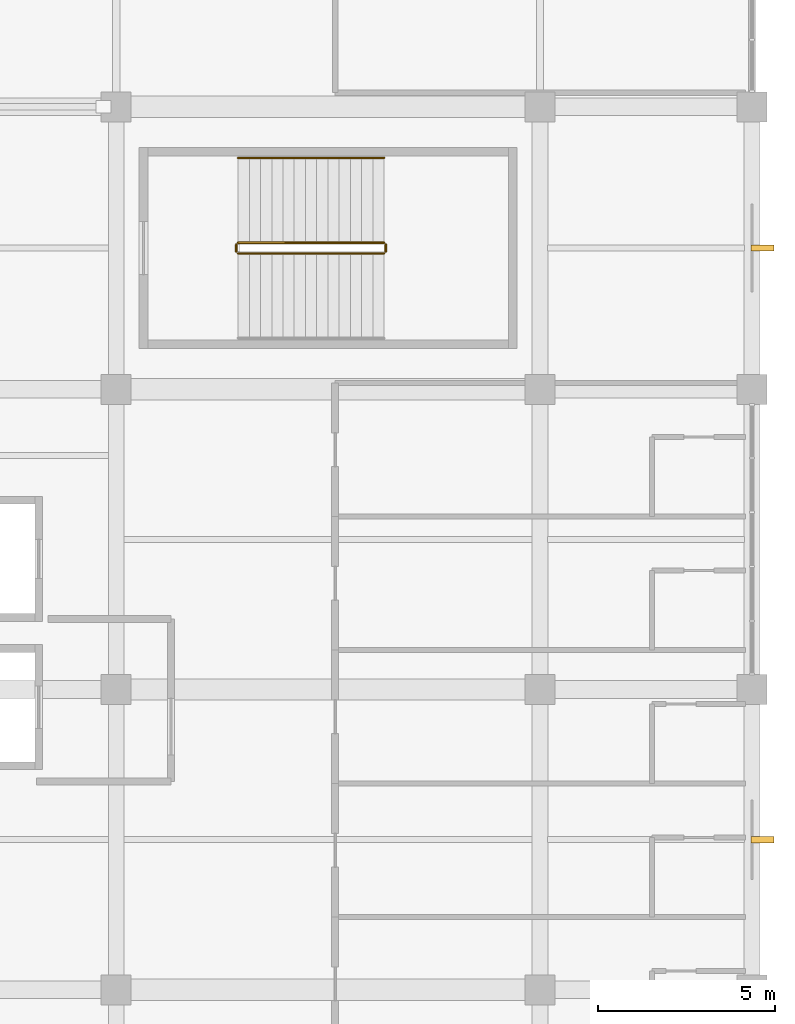
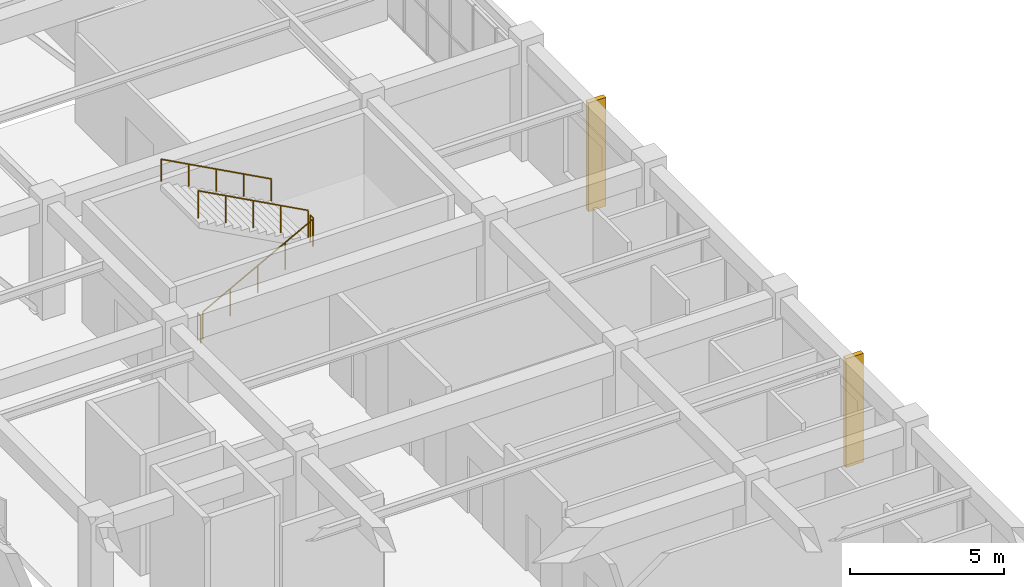
# One storey, part 108 of 112: 5 railings, 2 shading devices.
"""IFC4 building model written with IfcOpenShell, lengths in metres."""

import ifcopenshell
import ifcopenshell.guid

model = None  # the IFC model being written
_history = None  # IfcOwnerHistory: only IFC2X3 demands one
_inside = {}  # id of a spatial element -> (the spatial element, [elements in it])
_under = {}  # id of a project, library or spatial element -> (it, [spatial elements below it])
_declared = {}  # id of a project -> (the project, [libraries it declares])
_typed = {}  # id of a type object -> (the type object, [elements of that type])
_made_of = {}  # id of a material, layer set ... -> (it, [elements and type objects made of it])


def new_model(schema):
    """Start an empty IFC model of exactly this schema.

    Asked for "IFC4X3", IfcOpenShell would pick the latest addendum, in which some entities
    have other attributes; the version numbers below select the first issue.
    IFC2X3 requires an IfcOwnerHistory on every rooted entity: one is made here for all.
    """
    global model, _history
    if schema == "IFC4X3":
        model = ifcopenshell.file(schema_version=(4, 3, 0, 0))
    else:
        model = ifcopenshell.file(schema=schema)
    _inside.clear()
    _under.clear()
    _declared.clear()
    _typed.clear()
    _made_of.clear()
    _history = None
    if model.schema == "IFC2X3":
        org = make("IfcOrganization", Name="unknown")
        user = make(
            "IfcPersonAndOrganization",
            ThePerson=make("IfcPerson", FamilyName="unknown"),
            TheOrganization=org,
        )
        app = make(
            "IfcApplication",
            ApplicationDeveloper=org,
            Version="unknown",
            ApplicationFullName="unknown",
            ApplicationIdentifier="unknown",
        )
        _history = make(
            "IfcOwnerHistory",
            OwningUser=user,
            OwningApplication=app,
            ChangeAction="ADDED",
            CreationDate=0,
        )
    return model


def make(cls, **values):
    """One entity of the class cls with the attributes given. An attribute that is None is left unset."""
    return model.create_entity(
        cls, **{name: value for name, value in values.items() if value is not None}
    )


def rooted(cls, **values):
    """An entity with a GlobalId (a new one), such as an element, a storey or a relation."""
    return make(cls, GlobalId=ifcopenshell.guid.new(), OwnerHistory=_history, **values)


def si_unit(unit_type, name, prefix=None):
    """IfcSIUnit, for example si_unit("LENGTHUNIT", "METRE", prefix="MILLI")."""
    return make("IfcSIUnit", UnitType=unit_type, Prefix=prefix, Name=name)


def assignment(units):
    """IfcUnitAssignment: the units of a project."""
    return None if units is None else make("IfcUnitAssignment", Units=units)


def point(xyz):
    """IfcCartesianPoint."""
    return None if xyz is None else make("IfcCartesianPoint", Coordinates=xyz)


def direction(xyz):
    """IfcDirection."""
    return None if xyz is None else make("IfcDirection", DirectionRatios=xyz)


def frame(location, z_axis=None, x_axis=None):
    """IfcAxis2Placement3D, a coordinate frame: its origin and axes. An axis left out is left unset."""
    return make(
        "IfcAxis2Placement3D",
        Location=point(location),
        Axis=direction(z_axis),
        RefDirection=direction(x_axis),
    )


def frame_2d(location, x_axis=None):
    """IfcAxis2Placement2D, a coordinate frame in the plane: its origin and x axis."""
    return make(
        "IfcAxis2Placement2D", Location=point(location), RefDirection=direction(x_axis)
    )


def origin():
    """The frame at (0, 0, 0) with its axes left unset."""
    return frame((0.0, 0.0, 0.0))


def origin_2d():
    """The frame at (0, 0) in the plane with its x axis left unset."""
    return frame_2d((0.0, 0.0))


def place(relative_to, where):
    """IfcLocalPlacement: puts the frame where relative to a parent placement (None: the world)."""
    return make(
        "IfcLocalPlacement", PlacementRelTo=relative_to, RelativePlacement=where
    )


def context(
    kind, dimensions, precision=None, world=None, true_north=None, identifier=None
):
    """IfcGeometricRepresentationContext, for example the 3D "Model" context."""
    return make(
        "IfcGeometricRepresentationContext",
        ContextIdentifier=identifier,
        ContextType=kind,
        CoordinateSpaceDimension=dimensions,
        Precision=precision,
        WorldCoordinateSystem=world,
        TrueNorth=true_north,
    )


def subcontext(parent, identifier, kind, view, scale=None):
    """IfcGeometricRepresentationSubContext, for example "Body" below "Model"."""
    return make(
        "IfcGeometricRepresentationSubContext",
        ContextIdentifier=identifier,
        ContextType=kind,
        ParentContext=parent,
        TargetScale=scale,
        TargetView=view,
    )


def project(units=None, contexts=None):
    """IfcProject with its units and contexts."""
    return rooted(
        "IfcProject",
        Name="project",
        RepresentationContexts=contexts,
        UnitsInContext=assignment(units),
    )


def spatial(cls, under=None, at=None, **own):
    """A site, building, storey or space (cls), placed at a placement, below another one or the project."""
    s = rooted(cls, ObjectPlacement=at, **own)
    if under is not None:
        _under.setdefault(under.id(), (under, []))[1].append(s)
    return s


def profile(cls, at=None, kind="AREA", **sizes):
    """A parametric profile (cls). Its sizes go by their IFC names, for example OverallWidth=200.0."""
    return make(cls, ProfileType=kind, Position=at, **sizes)


def rectangle(**sizes):
    """IfcRectangleProfileDef."""
    return profile("IfcRectangleProfileDef", **sizes)


def circle(**sizes):
    """IfcCircleProfileDef."""
    return profile("IfcCircleProfileDef", **sizes)


def extrude(swept, where, along, depth):
    """IfcExtrudedAreaSolid: the profile swept, set in the frame where, extruded along a direction by depth."""
    return make(
        "IfcExtrudedAreaSolid",
        SweptArea=swept,
        Position=where,
        ExtrudedDirection=direction(along),
        Depth=depth,
    )


def shape(context_of_items, identifier, shape_type, items):
    """IfcShapeRepresentation: the items that make up one representation, for example the "Body"."""
    return make(
        "IfcShapeRepresentation",
        ContextOfItems=context_of_items,
        RepresentationIdentifier=identifier,
        RepresentationType=shape_type,
        Items=items,
    )


def material(Name=None, Category=None):
    """IfcMaterial."""
    return make("IfcMaterial", Name=Name, Category=Category)


def made_of(thing, what):
    """Note that an element or type object is made of a material, layer set ...; save() writes the relation."""
    if what is not None:
        _made_of.setdefault(what.id(), (what, []))[1].append(thing)
    return thing


def type_object(cls, material=None, **own):
    """A type object (cls), such as IfcWallType, which elements share."""
    return made_of(rooted(cls, **own), material)


def element(
    cls,
    number,
    at=None,
    inside=None,
    cuts=None,
    type_object=None,
    material=None,
    context=None,
    identifier="Body",
    shape_type=None,
    held_by="IfcProductDefinitionShape",
    body=None,
    shapes=None,
    **own,
):
    """One element of the class cls, such as IfcWall. Its Tag is "e" and its number.

    at: its placement. inside: the storey or other place that contains it. cuts: it is an
    opening in that element (IfcRelVoidsElement). A single representation is given by context,
    identifier, shape_type and body (its items); several are given by shapes. held_by: the class
    of the entity that holds the representations. save() writes the other relations.
    """
    e = rooted(cls, Tag="e%d" % number, ObjectPlacement=at, **own)
    if body is not None:
        shapes = [shape(context, identifier, shape_type, body)]
    if shapes is not None:
        e.Representation = make(held_by, Representations=shapes)
    if inside is not None:
        _inside.setdefault(inside.id(), (inside, []))[1].append(e)
    if cuts is not None:
        rooted(
            "IfcRelVoidsElement", RelatingBuildingElement=cuts, RelatedOpeningElement=e
        )
    if type_object is not None:
        _typed.setdefault(type_object.id(), (type_object, []))[1].append(e)
    return made_of(e, material)


def aggregate(whole, parts):
    """IfcRelAggregates: a whole, such as a stair, and the parts it consists of."""
    return rooted("IfcRelAggregates", RelatingObject=whole, RelatedObjects=parts)


def save(model, path):
    """Write the relations noted so far, then the file.

    IfcRelAggregates (storeys below a building ...), IfcRelContainedInSpatialStructure (elements
    in a storey), IfcRelDefinesByType, IfcRelAssociatesMaterial and IfcRelDeclares: one each for
    every whole, place, type object, material and project.
    """
    for whole, parts in _under.values():
        aggregate(whole, parts)
    for where, things in _inside.values():
        rooted(
            "IfcRelContainedInSpatialStructure",
            RelatedElements=things,
            RelatingStructure=where,
        )
    for kind, things in _typed.values():
        rooted("IfcRelDefinesByType", RelatedObjects=things, RelatingType=kind)
    for what, things in _made_of.values():
        rooted("IfcRelAssociatesMaterial", RelatedObjects=things, RelatingMaterial=what)
    for by, libraries in _declared.values():
        rooted("IfcRelDeclares", RelatingContext=by, RelatedDefinitions=libraries)
    model.write(path)


model = new_model("IFC4")

# Units and contexts
model_context = context("Model", 3, precision=1e-05, world=origin(), true_north=direction((0.0, 1.0)))
body_context = subcontext(model_context, "Body", "Model", "MODEL_VIEW")
ifc_project = project(units=[si_unit("LENGTHUNIT", "METRE"), si_unit("AREAUNIT", "SQUARE_METRE"), si_unit("VOLUMEUNIT", "CUBIC_METRE"), si_unit("PLANEANGLEUNIT", "RADIAN"), si_unit("MASSUNIT", "GRAM", prefix="KILO")], contexts=[model_context])

# Site, building, storey
site_placement = place(None, origin())
site = spatial("IfcSite", under=ifc_project, at=site_placement, CompositionType="ELEMENT")
building_placement = place(site_placement, origin())
building = spatial("IfcBuilding", under=site, at=building_placement, Name="Cuetzalor Civic Arena", CompositionType="ELEMENT")
storey_placement = place(building_placement, frame((0.0, 0.0, 11.39990234375)))
storey = spatial("IfcBuildingStorey", under=building, at=storey_placement, Name="L02", CompositionType="ELEMENT", Elevation=11.39990234375)

# Railings
ifc_material_1 = material(Name="Reseda-green architectural Steel S355 balustrade", Category="steel")
railing_type_1 = type_object("IfcRailingType", Name="InteriorVoidBalustrade_1100", PredefinedType="BALUSTRADE", material=ifc_material_1)
railing_1_placement = place(storey_placement, frame((67.449951171875, 20.85009765625, 0.171630859375)))
element("IfcRailing", 1, at=railing_1_placement, inside=storey, type_object=railing_type_1, Name="L02 ST-22 stair guard 1", PredefinedType="BALUSTRADE", context=body_context, shape_type="SweptSolid", body=[
    extrude(circle(Radius=0.02392578125, at=origin_2d()), frame((0.0, 0.0, 1.0810546875), z_axis=(0.880248997335, 0.0, 0.474512068014), x_axis=(0.0, 1.0, 0.0)), (0.0, 0.0, 1.0), 4.696533203125),
    extrude(circle(Radius=0.02099609375, at=origin_2d()), origin(), (0.0, 0.0, 1.0), 1.056884765625),
    extrude(circle(Radius=0.02099609375, at=origin_2d()), frame((1.033447265625, 0.0, 0.55712890625)), (0.0, 0.0, 1.0), 1.056884765625),
    extrude(circle(Radius=0.02099609375, at=origin_2d()), frame((2.06689453125, 0.0, 1.1142578125)), (0.0, 0.0, 1.0), 1.056884765625),
    extrude(circle(Radius=0.02099609375, at=origin_2d()), frame((3.1005859375, 0.0, 1.67138671875)), (0.0, 0.0, 1.0), 1.056884765625),
    extrude(circle(Radius=0.02099609375, at=origin_2d()), frame((4.134033203125, 0.0, 2.228515625)), (0.0, 0.0, 1.0), 1.056884765625),
])
railing_2_placement = place(storey_placement, frame((71.634033203125, 20.89990234375, 2.400146484375)))
element("IfcRailing", 2, at=railing_2_placement, inside=storey, type_object=railing_type_1, Name="L02 ST-22 stair guard 2", PredefinedType="BALUSTRADE", context=body_context, shape_type="SweptSolid", body=[
    extrude(circle(Radius=0.02392578125, at=origin_2d()), frame((0.0, 0.0, 1.0810546875), z_axis=(0.0, 1.0, 0.0), x_axis=(-1.0, 0.0, 0.0)), (0.0, 0.0, 1.0), 0.2001953125),
    extrude(circle(Radius=0.02099609375, at=origin_2d()), origin(), (0.0, 0.0, 1.0), 1.056884765625),
    extrude(circle(Radius=0.02099609375, at=origin_2d()), frame((0.0, 0.2001953125, 0.0)), (0.0, 0.0, 1.0), 1.056884765625),
])
railing_3_placement = place(storey_placement, frame((71.583984375, 21.14990234375, 2.571533203125)))
element("IfcRailing", 3, at=railing_3_placement, inside=storey, type_object=railing_type_1, Name="L02 ST-22 stair guard 3", PredefinedType="BALUSTRADE", context=body_context, shape_type="SweptSolid", body=[
    extrude(circle(Radius=0.02392578125, at=origin_2d()), frame((0.0, 0.0, 1.0810546875), z_axis=(-0.880248997335, 0.0, 0.474512068014), x_axis=(0.0, -1.0, 0.0)), (0.0, 0.0, 1.0), 4.696533203125),
    extrude(circle(Radius=0.02099609375, at=origin_2d()), origin(), (0.0, 0.0, 1.0), 1.056884765625),
    extrude(circle(Radius=0.02099609375, at=origin_2d()), frame((-1.033447265625, 0.0, 0.55712890625)), (0.0, 0.0, 1.0), 1.056884765625),
    extrude(circle(Radius=0.02099609375, at=origin_2d()), frame((-2.06689453125, 0.0, 1.1142578125)), (0.0, 0.0, 1.0), 1.056884765625),
    extrude(circle(Radius=0.02099609375, at=origin_2d()), frame((-3.1005859375, 0.0, 1.67138671875)), (0.0, 0.0, 1.0), 1.056884765625),
    extrude(circle(Radius=0.02099609375, at=origin_2d()), frame((-4.134033203125, 0.0, 2.228515625)), (0.0, 0.0, 1.0), 1.056884765625),
])
railing_4_placement = place(storey_placement, frame((67.39990234375, 20.89990234375, 0.0)))
element("IfcRailing", 4, at=railing_4_placement, inside=storey, type_object=railing_type_1, Name="L02 ST-22 stair guard 4", PredefinedType="BALUSTRADE", context=body_context, shape_type="SweptSolid", body=[
    extrude(circle(Radius=0.02392578125, at=origin_2d()), frame((0.0, 0.0, 1.0810546875), z_axis=(0.0, 1.0, 0.0), x_axis=(-1.0, 0.0, 0.0)), (0.0, 0.0, 1.0), 0.2001953125),
    extrude(circle(Radius=0.02099609375, at=origin_2d()), origin(), (0.0, 0.0, 1.0), 1.056884765625),
    extrude(circle(Radius=0.02099609375, at=origin_2d()), frame((0.0, 0.2001953125, 0.0)), (0.0, 0.0, 1.0), 1.056884765625),
])
ifc_material_2 = material(Name="Galvanised steel S355", Category="steel")
railing_type_2 = type_object("IfcRailingType", Name="StairPitchHandrail_900", PredefinedType="HANDRAIL", material=ifc_material_2)
railing_5_placement = place(storey_placement, frame((71.583984375, 23.550048828125, 2.571533203125)))
element("IfcRailing", 5, at=railing_5_placement, inside=storey, type_object=railing_type_2, Name="L02 ST-22 stair handrail 2", PredefinedType="HANDRAIL", context=body_context, shape_type="SweptSolid", body=[
    extrude(circle(Radius=0.02392578125, at=origin_2d()), frame((0.0, 0.0, 0.8759765625), z_axis=(-0.880248997335, 0.0, 0.474512068014), x_axis=(0.0, -1.0, 0.0)), (0.0, 0.0, 1.0), 4.696533203125),
    extrude(circle(Radius=0.02099609375, at=origin_2d()), origin(), (0.0, 0.0, 1.0), 0.851806640625),
    extrude(circle(Radius=0.02099609375, at=origin_2d()), frame((-1.033447265625, 0.0, 0.55712890625)), (0.0, 0.0, 1.0), 0.851806640625),
    extrude(circle(Radius=0.02099609375, at=origin_2d()), frame((-2.06689453125, 0.0, 1.1142578125)), (0.0, 0.0, 1.0), 0.851806640625),
    extrude(circle(Radius=0.02099609375, at=origin_2d()), frame((-3.1005859375, 0.0, 1.67138671875)), (0.0, 0.0, 1.0), 0.851806640625),
    extrude(circle(Radius=0.02099609375, at=origin_2d()), frame((-4.134033203125, 0.0, 2.228515625)), (0.0, 0.0, 1.0), 0.851806640625),
])

# Shading devices
ifc_material_3 = material(Name="Puebla cantera gris stone and bronze fin", Category="masonry")
shading_device_type = type_object("IfcShadingDeviceType", Name="VerticalCanteraSolarFin", PredefinedType="USERDEFINED", material=ifc_material_3)
for number, where, z_axis, x_axis, name in (
    (6, (82.300048828125, 4.25, 0.10009765625), (0.0, 0.0, 1.0), (1.0, 0.0, 0.0), "V4E Vertical Cantera Solar Fin 04"),
    (7, (82.300048828125, 21.0, 0.10009765625), (0.0, 0.0, 1.0), (1.0, 0.0, 0.0), "V4E Vertical Cantera Solar Fin 05"),
):
    element("IfcShadingDevice", number, at=place(storey_placement, frame(where, z_axis=z_axis, x_axis=x_axis)), inside=storey, type_object=shading_device_type, Name=name, ObjectType="SOLAR FIN", PredefinedType="USERDEFINED", context=body_context, shape_type="SweptSolid", body=[
        extrude(rectangle(XDim=0.64990234375, YDim=0.179931640625, at=origin_2d()), origin(), (0.0, 0.0, 1.0), 4.320068359375),
    ])

save(model, "model.ifc")
